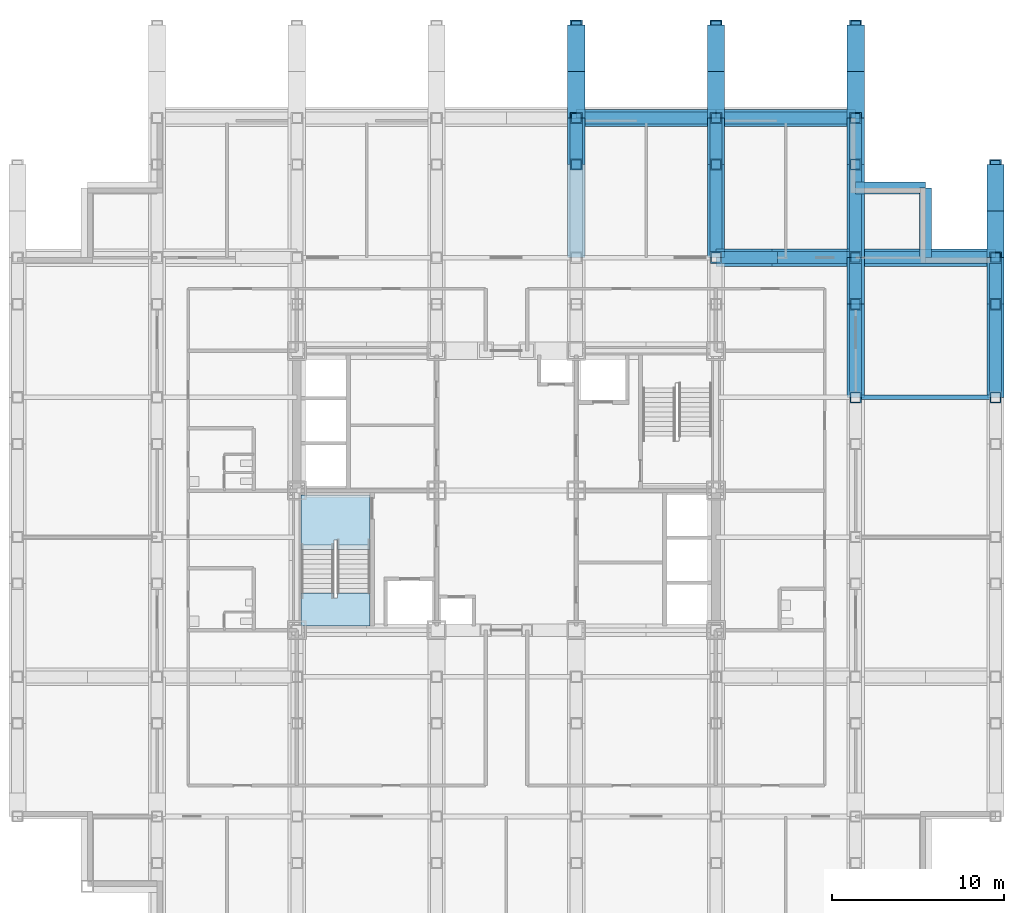
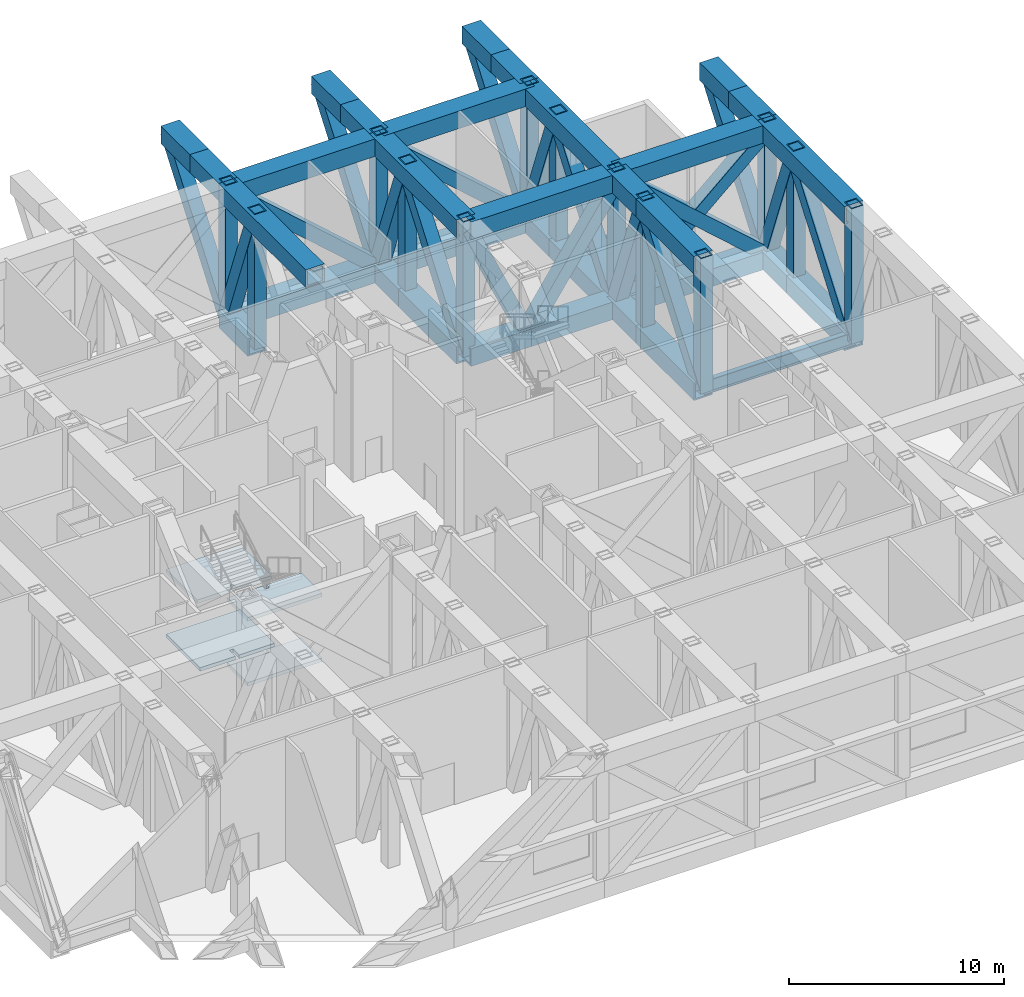
# One storey, part 6 of 13: 64 members, 4 slabs, 3 beams, 1 element without a shape of its own.
"""IFC4 building model written with IfcOpenShell, lengths in metres."""

from ifc_helpers import new_model, si_unit, direction, frame, origin, origin_2d, place, context, subcontext, project, spatial, polyline, hollow_rectangle, i_section, outline, extrude, material, layer, layer_set, material_profile, profile_set, type_object, element, aggregate, save


model = new_model("IFC4")

# Units and contexts
model_context = context("Model", 3, precision=1e-05, world=origin(), true_north=direction((0.0, 1.0)))
body_context = subcontext(model_context, "Body", "Model", "MODEL_VIEW")
ifc_project = project(units=[si_unit("LENGTHUNIT", "METRE"), si_unit("AREAUNIT", "SQUARE_METRE"), si_unit("VOLUMEUNIT", "CUBIC_METRE"), si_unit("PLANEANGLEUNIT", "RADIAN"), si_unit("MASSUNIT", "GRAM", prefix="KILO")], contexts=[model_context])

# Site, building, storey
site_placement = place(None, origin())
site = spatial("IfcSite", under=ifc_project, at=site_placement, CompositionType="ELEMENT")
building_placement = place(site_placement, origin())
building = spatial("IfcBuilding", under=site, at=building_placement, Name="Kopane Lantern Tower", CompositionType="ELEMENT")
storey_placement = place(building_placement, frame((0.0, 0.0, 157.800048828125)))
storey = spatial("IfcBuildingStorey", under=building, at=storey_placement, Name="L41", CompositionType="ELEMENT", Elevation=157.800048828125)

# Beams
ifc_material_1 = material(Name="Steel S355JR", Category="steel")
ifc_material_profile_1 = material_profile(ifc_material_1, hollow_rectangle(XDim=0.699951171875, YDim=0.699951171875, WallThickness=0.06005859375, at=origin_2d()), Name="BOX 700x700x60")
ifc_profile_set_1 = profile_set([ifc_material_profile_1], Name="Steel S355JR")
beam_type_1 = type_object("IfcBeamType", Name="EDGE BEAM BOX 700x700x60", PredefinedType="BEAM", material=ifc_profile_set_1)
beam_1_placement = place(storey_placement, frame((52.64990234375, 49.949951171875, -0.60009765625), z_axis=(-1.0, 0.0, 0.0), x_axis=(0.0, -1.0, 0.0)))
element("IfcBeam", 1, at=beam_1_placement, inside=storey, type_object=beam_type_1, Name="Edge Beam L41", PredefinedType="BEAM", context=body_context, shape_type="SweptSolid", body=[
    extrude(hollow_rectangle(XDim=0.699951171875, YDim=0.699951171875, WallThickness=0.06005859375, at=origin_2d()), origin(), (0.0, 0.0, 1.0), 4.0498046875),
])
beam_2_placement = place(storey_placement, frame((52.64990234375, 49.949951171875, -0.60009765625), z_axis=(0.0, -1.0, 0.0), x_axis=(1.0, 0.0, 0.0)))
element("IfcBeam", 2, at=beam_2_placement, inside=storey, type_object=beam_type_1, Name="Edge Beam L41", PredefinedType="BEAM", context=body_context, shape_type="SweptSolid", body=[
    extrude(hollow_rectangle(XDim=0.699951171875, YDim=0.699951171875, WallThickness=0.06005859375, at=origin_2d()), origin(), (0.0, 0.0, 1.0), 4.050048828125),
])
ifc_material_2 = material(Name="Steel S355JR", Category="steel")
ifc_material_profile_2 = material_profile(ifc_material_2, i_section(OverallWidth=0.26806640625, OverallDepth=0.769775390625, WebThickness=0.015625, FlangeThickness=0.025390625, FilletRadius=0.0166015625, at=origin_2d()), Name="UB 762x267x197")
ifc_profile_set_2 = profile_set([ifc_material_profile_2], Name="Steel S355JR")
beam_type_2 = type_object("IfcBeamType", Name="GIRDER UB 762x267x197", PredefinedType="BEAM", material=ifc_profile_set_2)
beam_3_placement = place(storey_placement, frame((48.60009765625, 37.800048828125, -0.635009765625), z_axis=(1.0, 0.0, 0.0), x_axis=(0.0, 1.0, 0.0)))
element("IfcBeam", 3, at=beam_3_placement, inside=storey, type_object=beam_type_2, Name="Girder L41", PredefinedType="BEAM", context=body_context, shape_type="SweptSolid", body=[
    extrude(i_section(OverallWidth=0.26806640625, OverallDepth=0.769775390625, WebThickness=0.015625, FlangeThickness=0.025390625, FilletRadius=0.0166015625, at=origin_2d()), origin(), (0.0, 0.0, 1.0), 8.099853515625),
])

# Members
ifc_material_3 = material(Name="Steel S355JR", Category="steel")
ifc_material_profile_3 = material_profile(ifc_material_3, hollow_rectangle(XDim=1.0, YDim=1.0, WallThickness=0.090087890625, at=origin_2d()), Name="BOX 1000x1000x90")
ifc_profile_set_3 = profile_set([ifc_material_profile_3], Name="Steel S355JR")
member_type_1 = type_object("IfcMemberType", Name="TRUSS CHORD BOX 1000x1000x90", PredefinedType="CHORD", material=ifc_profile_set_3)
member_1_placement = place(storey_placement, frame((32.39990234375, 51.300048828125, -0.75), z_axis=(0.0, 1.0, 0.0), x_axis=(-1.0, 0.0, 0.0)))
element("IfcMember", 4, at=member_1_placement, inside=storey, type_object=member_type_1, Name="Transfer truss 6 L41 truss chord", PredefinedType="CHORD", context=body_context, shape_type="SweptSolid", body=[
    extrude(hollow_rectangle(XDim=1.0, YDim=1.0, WallThickness=0.090087890625, at=origin_2d()), origin(), (0.0, 0.0, 1.0), 2.699951171875),
])
member_2_placement = place(storey_placement, frame((32.39990234375, 45.89990234375, 6.449951171875), z_axis=(0.0, 1.0, 0.0), x_axis=(-1.0, 0.0, 0.0)))
element("IfcMember", 5, at=member_2_placement, inside=storey, type_object=member_type_1, Name="Transfer truss 6 L41 truss chord", PredefinedType="CHORD", context=body_context, shape_type="SweptSolid", body=[
    extrude(hollow_rectangle(XDim=1.0, YDim=1.0, WallThickness=0.090087890625, at=origin_2d()), origin(), (0.0, 0.0, 1.0), 8.10009765625),
])
for number, where, z_axis, x_axis, name in (
    (6, (32.39990234375, 54.0, 6.449951171875), (0.0, 1.0, 0.0), (-1.0, 0.0, 0.0), "Transfer truss 6 L41 truss chord"),
    (7, (32.39990234375, 56.699951171875, 6.449951171875), (0.0, 1.0, 0.0), (-1.0, 0.0, 0.0), "Transfer truss 6 L41 truss chord"),
):
    element("IfcMember", number, at=place(storey_placement, frame(where, z_axis=z_axis, x_axis=x_axis)), inside=storey, type_object=member_type_1, Name=name, PredefinedType="CHORD", context=body_context, shape_type="SweptSolid", body=[
        extrude(hollow_rectangle(XDim=1.0, YDim=1.0, WallThickness=0.090087890625, at=origin_2d()), origin(), (0.0, 0.0, 1.0), 2.699951171875),
    ])
member_3_placement = place(storey_placement, frame((40.5, 45.89990234375, -0.75), z_axis=(0.0, 1.0, 0.0), x_axis=(-1.0, 0.0, 0.0)))
element("IfcMember", 8, at=member_3_placement, inside=storey, type_object=member_type_1, Name="Transfer truss 7 L41 truss chord", PredefinedType="CHORD", context=body_context, shape_type="SweptSolid", body=[
    extrude(hollow_rectangle(XDim=1.0, YDim=1.0, WallThickness=0.090087890625, at=origin_2d()), origin(), (0.0, 0.0, 1.0), 5.400146484375),
])
member_4_placement = place(storey_placement, frame((40.5, 51.300048828125, -0.75), z_axis=(0.0, 1.0, 0.0), x_axis=(-1.0, 0.0, 0.0)))
element("IfcMember", 9, at=member_4_placement, inside=storey, type_object=member_type_1, Name="Transfer truss 7 L41 truss chord", PredefinedType="CHORD", context=body_context, shape_type="SweptSolid", body=[
    extrude(hollow_rectangle(XDim=1.0, YDim=1.0, WallThickness=0.090087890625, at=origin_2d()), origin(), (0.0, 0.0, 1.0), 2.699951171875),
])
member_5_placement = place(storey_placement, frame((40.5, 45.89990234375, 6.449951171875), z_axis=(0.0, 1.0, 0.0), x_axis=(-1.0, 0.0, 0.0)))
element("IfcMember", 10, at=member_5_placement, inside=storey, type_object=member_type_1, Name="Transfer truss 7 L41 truss chord", PredefinedType="CHORD", context=body_context, shape_type="SweptSolid", body=[
    extrude(hollow_rectangle(XDim=1.0, YDim=1.0, WallThickness=0.090087890625, at=origin_2d()), origin(), (0.0, 0.0, 1.0), 8.10009765625),
])
for number, where, z_axis, x_axis, name in (
    (11, (40.5, 54.0, 6.449951171875), (0.0, 1.0, 0.0), (-1.0, 0.0, 0.0), "Transfer truss 7 L41 truss chord"),
    (12, (40.5, 56.699951171875, 6.449951171875), (0.0, 1.0, 0.0), (-1.0, 0.0, 0.0), "Transfer truss 7 L41 truss chord"),
):
    element("IfcMember", number, at=place(storey_placement, frame(where, z_axis=z_axis, x_axis=x_axis)), inside=storey, type_object=member_type_1, Name=name, PredefinedType="CHORD", context=body_context, shape_type="SweptSolid", body=[
        extrude(hollow_rectangle(XDim=1.0, YDim=1.0, WallThickness=0.090087890625, at=origin_2d()), origin(), (0.0, 0.0, 1.0), 2.699951171875),
    ])
member_6_placement = place(storey_placement, frame((48.60009765625, 37.800048828125, -0.75), z_axis=(0.0, 1.0, 0.0), x_axis=(-1.0, 0.0, 0.0)))
element("IfcMember", 13, at=member_6_placement, inside=storey, type_object=member_type_1, Name="Transfer truss 8 L41 truss chord", PredefinedType="CHORD", context=body_context, shape_type="SweptSolid", body=[
    extrude(hollow_rectangle(XDim=1.0, YDim=1.0, WallThickness=0.090087890625, at=origin_2d()), origin(), (0.0, 0.0, 1.0), 5.39990234375),
])
member_7_placement = place(storey_placement, frame((48.60009765625, 43.199951171875, -0.75), z_axis=(0.0, 1.0, 0.0), x_axis=(-1.0, 0.0, 0.0)))
element("IfcMember", 14, at=member_7_placement, inside=storey, type_object=member_type_1, Name="Transfer truss 8 L41 truss chord", PredefinedType="CHORD", context=body_context, shape_type="SweptSolid", body=[
    extrude(hollow_rectangle(XDim=1.0, YDim=1.0, WallThickness=0.090087890625, at=origin_2d()), origin(), (0.0, 0.0, 1.0), 2.699951171875),
])
member_8_placement = place(storey_placement, frame((48.60009765625, 45.89990234375, -0.75), z_axis=(0.0, 1.0, 0.0), x_axis=(-1.0, 0.0, 0.0)))
element("IfcMember", 15, at=member_8_placement, inside=storey, type_object=member_type_1, Name="Transfer truss 8 L41 truss chord", PredefinedType="CHORD", context=body_context, shape_type="SweptSolid", body=[
    extrude(hollow_rectangle(XDim=1.0, YDim=1.0, WallThickness=0.090087890625, at=origin_2d()), origin(), (0.0, 0.0, 1.0), 5.400146484375),
])
member_9_placement = place(storey_placement, frame((48.60009765625, 51.300048828125, -0.75), z_axis=(0.0, 1.0, 0.0), x_axis=(-1.0, 0.0, 0.0)))
element("IfcMember", 16, at=member_9_placement, inside=storey, type_object=member_type_1, Name="Transfer truss 8 L41 truss chord", PredefinedType="CHORD", context=body_context, shape_type="SweptSolid", body=[
    extrude(hollow_rectangle(XDim=1.0, YDim=1.0, WallThickness=0.090087890625, at=origin_2d()), origin(), (0.0, 0.0, 1.0), 2.699951171875),
])
member_10_placement = place(storey_placement, frame((48.60009765625, 37.800048828125, 6.449951171875), z_axis=(0.0, 1.0, 0.0), x_axis=(-1.0, 0.0, 0.0)))
element("IfcMember", 17, at=member_10_placement, inside=storey, type_object=member_type_1, Name="Transfer truss 8 L41 truss chord", PredefinedType="CHORD", context=body_context, shape_type="SweptSolid", body=[
    extrude(hollow_rectangle(XDim=1.0, YDim=1.0, WallThickness=0.090087890625, at=origin_2d()), origin(), (0.0, 0.0, 1.0), 5.39990234375),
])
member_11_placement = place(storey_placement, frame((48.60009765625, 43.199951171875, 6.449951171875), z_axis=(0.0, 1.0, 0.0), x_axis=(-1.0, 0.0, 0.0)))
element("IfcMember", 18, at=member_11_placement, inside=storey, type_object=member_type_1, Name="Transfer truss 8 L41 truss chord", PredefinedType="CHORD", context=body_context, shape_type="SweptSolid", body=[
    extrude(hollow_rectangle(XDim=1.0, YDim=1.0, WallThickness=0.090087890625, at=origin_2d()), origin(), (0.0, 0.0, 1.0), 2.699951171875),
])
member_12_placement = place(storey_placement, frame((48.60009765625, 45.89990234375, 6.449951171875), z_axis=(0.0, 1.0, 0.0), x_axis=(-1.0, 0.0, 0.0)))
element("IfcMember", 19, at=member_12_placement, inside=storey, type_object=member_type_1, Name="Transfer truss 8 L41 truss chord", PredefinedType="CHORD", context=body_context, shape_type="SweptSolid", body=[
    extrude(hollow_rectangle(XDim=1.0, YDim=1.0, WallThickness=0.090087890625, at=origin_2d()), origin(), (0.0, 0.0, 1.0), 8.10009765625),
])
for number, where, z_axis, x_axis, name in (
    (20, (48.60009765625, 54.0, 6.449951171875), (0.0, 1.0, 0.0), (-1.0, 0.0, 0.0), "Transfer truss 8 L41 truss chord"),
    (21, (48.60009765625, 56.699951171875, 6.449951171875), (0.0, 1.0, 0.0), (-1.0, 0.0, 0.0), "Transfer truss 8 L41 truss chord"),
):
    element("IfcMember", number, at=place(storey_placement, frame(where, z_axis=z_axis, x_axis=x_axis)), inside=storey, type_object=member_type_1, Name=name, PredefinedType="CHORD", context=body_context, shape_type="SweptSolid", body=[
        extrude(hollow_rectangle(XDim=1.0, YDim=1.0, WallThickness=0.090087890625, at=origin_2d()), origin(), (0.0, 0.0, 1.0), 2.699951171875),
    ])
member_13_placement = place(storey_placement, frame((56.699951171875, 37.800048828125, -0.75), z_axis=(0.0, 1.0, 0.0), x_axis=(-1.0, 0.0, 0.0)))
element("IfcMember", 22, at=member_13_placement, inside=storey, type_object=member_type_1, Name="Transfer truss 9 L41 truss chord", PredefinedType="CHORD", context=body_context, shape_type="SweptSolid", body=[
    extrude(hollow_rectangle(XDim=1.0, YDim=1.0, WallThickness=0.090087890625, at=origin_2d()), origin(), (0.0, 0.0, 1.0), 5.39990234375),
])
member_14_placement = place(storey_placement, frame((56.699951171875, 43.199951171875, -0.75), z_axis=(0.0, 1.0, 0.0), x_axis=(-1.0, 0.0, 0.0)))
element("IfcMember", 23, at=member_14_placement, inside=storey, type_object=member_type_1, Name="Transfer truss 9 L41 truss chord", PredefinedType="CHORD", context=body_context, shape_type="SweptSolid", body=[
    extrude(hollow_rectangle(XDim=1.0, YDim=1.0, WallThickness=0.090087890625, at=origin_2d()), origin(), (0.0, 0.0, 1.0), 2.699951171875),
])
member_15_placement = place(storey_placement, frame((56.699951171875, 37.800048828125, 6.449951171875), z_axis=(0.0, 1.0, 0.0), x_axis=(-1.0, 0.0, 0.0)))
element("IfcMember", 24, at=member_15_placement, inside=storey, type_object=member_type_1, Name="Transfer truss 9 L41 truss chord", PredefinedType="CHORD", context=body_context, shape_type="SweptSolid", body=[
    extrude(hollow_rectangle(XDim=1.0, YDim=1.0, WallThickness=0.090087890625, at=origin_2d()), origin(), (0.0, 0.0, 1.0), 8.099853515625),
])
member_16_placement = place(storey_placement, frame((56.699951171875, 45.89990234375, 6.449951171875), z_axis=(0.0, 1.0, 0.0), x_axis=(-1.0, 0.0, 0.0)))
element("IfcMember", 25, at=member_16_placement, inside=storey, type_object=member_type_1, Name="Transfer truss 9 L41 truss chord", PredefinedType="CHORD", context=body_context, shape_type="SweptSolid", body=[
    extrude(hollow_rectangle(XDim=1.0, YDim=1.0, WallThickness=0.090087890625, at=origin_2d()), origin(), (0.0, 0.0, 1.0), 2.7001953125),
])
member_17_placement = place(storey_placement, frame((56.699951171875, 48.60009765625, 6.449951171875), z_axis=(0.0, 1.0, 0.0), x_axis=(-1.0, 0.0, 0.0)))
element("IfcMember", 26, at=member_17_placement, inside=storey, type_object=member_type_1, Name="Transfer truss 9 L41 truss chord", PredefinedType="CHORD", context=body_context, shape_type="SweptSolid", body=[
    extrude(hollow_rectangle(XDim=1.0, YDim=1.0, WallThickness=0.090087890625, at=origin_2d()), origin(), (0.0, 0.0, 1.0), 2.699951171875),
])
for number, where, z_axis, x_axis, name in (
    (27, (32.39990234375, 54.0, -0.75), (1.0, 0.0, 0.0), (0.0, 1.0, 0.0), "Belt truss N L41 truss chord"),
    (28, (32.39990234375, 54.0, 6.449951171875), (1.0, 0.0, 0.0), (0.0, 1.0, 0.0), "Belt truss N L41 truss chord"),
    (29, (40.5, 54.0, -0.75), (1.0, 0.0, 0.0), (0.0, 1.0, 0.0), "Belt truss N L41 truss chord"),
    (30, (40.5, 54.0, 6.449951171875), (1.0, 0.0, 0.0), (0.0, 1.0, 0.0), "Belt truss N L41 truss chord"),
):
    element("IfcMember", number, at=place(storey_placement, frame(where, z_axis=z_axis, x_axis=x_axis)), inside=storey, type_object=member_type_1, Name=name, PredefinedType="CHORD", context=body_context, shape_type="SweptSolid", body=[
        extrude(hollow_rectangle(XDim=1.0, YDim=1.0, WallThickness=0.090087890625, at=origin_2d()), origin(), (0.0, 0.0, 1.0), 8.10009765625),
    ])
for number, where, z_axis, x_axis, name in (
    (31, (56.699951171875, 45.89990234375, -0.75), (-1.0, 0.0, 0.0), (0.0, -1.0, 0.0), "Outrigger truss E45.9 L41 truss chord"),
    (32, (56.699951171875, 45.89990234375, 6.449951171875), (-1.0, 0.0, 0.0), (0.0, -1.0, 0.0), "Outrigger truss E45.9 L41 truss chord"),
):
    element("IfcMember", number, at=place(storey_placement, frame(where, z_axis=z_axis, x_axis=x_axis)), inside=storey, type_object=member_type_1, Name=name, PredefinedType="CHORD", context=body_context, shape_type="SweptSolid", body=[
        extrude(hollow_rectangle(XDim=1.0, YDim=1.0, WallThickness=0.090087890625, at=origin_2d()), origin(), (0.0, 0.0, 1.0), 8.099853515625),
    ])
member_18_placement = place(storey_placement, frame((48.60009765625, 45.89990234375, -0.75), z_axis=(-1.0, 0.0, 0.0), x_axis=(0.0, -1.0, 0.0)))
element("IfcMember", 33, at=member_18_placement, inside=storey, type_object=member_type_1, Name="Outrigger truss E45.9 L41 truss chord", PredefinedType="CHORD", context=body_context, shape_type="SweptSolid", body=[
    extrude(hollow_rectangle(XDim=1.0, YDim=1.0, WallThickness=0.090087890625, at=origin_2d()), origin(), (0.0, 0.0, 1.0), 4.860107421875),
])
member_19_placement = place(storey_placement, frame((43.739990234375, 45.89990234375, -0.75), z_axis=(-1.0, 0.0, 0.0), x_axis=(0.0, -1.0, 0.0)))
element("IfcMember", 34, at=member_19_placement, inside=storey, type_object=member_type_1, Name="Outrigger truss E45.9 L41 truss chord", PredefinedType="CHORD", context=body_context, shape_type="SweptSolid", body=[
    extrude(hollow_rectangle(XDim=1.0, YDim=1.0, WallThickness=0.090087890625, at=origin_2d()), origin(), (0.0, 0.0, 1.0), 3.239990234375),
])
member_20_placement = place(storey_placement, frame((48.60009765625, 45.89990234375, 6.449951171875), z_axis=(-1.0, 0.0, 0.0), x_axis=(0.0, -1.0, 0.0)))
element("IfcMember", 35, at=member_20_placement, inside=storey, type_object=member_type_1, Name="Outrigger truss E45.9 L41 truss chord", PredefinedType="CHORD", context=body_context, shape_type="SweptSolid", body=[
    extrude(hollow_rectangle(XDim=1.0, YDim=1.0, WallThickness=0.090087890625, at=origin_2d()), origin(), (0.0, 0.0, 1.0), 8.10009765625),
])
ifc_material_4 = material(Name="Steel S355JR", Category="steel")
ifc_material_profile_4 = material_profile(ifc_material_4, hollow_rectangle(XDim=0.699951171875, YDim=0.699951171875, WallThickness=0.070068359375, at=origin_2d()), Name="BOX 700x700x70")
ifc_profile_set_4 = profile_set([ifc_material_profile_4], Name="Steel S355JR")
member_type_2 = type_object("IfcMemberType", Name="TRUSS DIAGONAL BOX 700x700x70", PredefinedType="BRACE", material=ifc_profile_set_4)
member_21_placement = place(storey_placement, frame((32.39990234375, 54.0, -0.75), z_axis=(0.0, -0.351119962166, 0.936330482345), x_axis=(1.0, 0.0, 0.0)))
element("IfcMember", 36, at=member_21_placement, inside=storey, type_object=member_type_2, Name="Transfer truss 6 L41 truss diagonal", PredefinedType="BRACE", context=body_context, shape_type="SweptSolid", body=[
    extrude(hollow_rectangle(XDim=0.699951171875, YDim=0.699951171875, WallThickness=0.070068359375, at=origin_2d()), origin(), (0.0, 0.0, 1.0), 7.689453125),
])
for number, where, z_axis, x_axis, name in (
    (37, (32.39990234375, 54.0, -0.75), (0.0, 0.599995659666, 0.800003255232), (-1.0, 0.0, 0.0), "Transfer truss 6 L41 truss diagonal"),
    (38, (40.5, 45.89990234375, -0.75), (0.0, 0.600013020683, 0.799990234322), (-1.0, 0.0, 0.0), "Transfer truss 7 L41 truss diagonal"),
):
    element("IfcMember", number, at=place(storey_placement, frame(where, z_axis=z_axis, x_axis=x_axis)), inside=storey, type_object=member_type_2, Name=name, PredefinedType="BRACE", context=body_context, shape_type="SweptSolid", body=[
        extrude(hollow_rectangle(XDim=0.699951171875, YDim=0.699951171875, WallThickness=0.070068359375, at=origin_2d()), origin(), (0.0, 0.0, 1.0), 9.0),
    ])
member_22_placement = place(storey_placement, frame((40.5, 54.0, -0.75), z_axis=(0.0, -0.351119962166, 0.936330482345), x_axis=(1.0, 0.0, 0.0)))
element("IfcMember", 39, at=member_22_placement, inside=storey, type_object=member_type_2, Name="Transfer truss 7 L41 truss diagonal", PredefinedType="BRACE", context=body_context, shape_type="SweptSolid", body=[
    extrude(hollow_rectangle(XDim=0.699951171875, YDim=0.699951171875, WallThickness=0.070068359375, at=origin_2d()), origin(), (0.0, 0.0, 1.0), 7.689453125),
])
for number, where, z_axis, x_axis, name in (
    (40, (40.5, 54.0, -0.75), (0.0, 0.599995659666, 0.800003255232), (-1.0, 0.0, 0.0), "Transfer truss 7 L41 truss diagonal"),
    (41, (48.60009765625, 37.800048828125, -0.75), (0.0, 0.599995659666, 0.800003255232), (-1.0, 0.0, 0.0), "Transfer truss 8 L41 truss diagonal"),
):
    element("IfcMember", number, at=place(storey_placement, frame(where, z_axis=z_axis, x_axis=x_axis)), inside=storey, type_object=member_type_2, Name=name, PredefinedType="BRACE", context=body_context, shape_type="SweptSolid", body=[
        extrude(hollow_rectangle(XDim=0.699951171875, YDim=0.699951171875, WallThickness=0.070068359375, at=origin_2d()), origin(), (0.0, 0.0, 1.0), 9.0),
    ])
member_23_placement = place(storey_placement, frame((48.60009765625, 45.89990234375, -0.75), z_axis=(0.0, -0.351119962166, 0.936330482345), x_axis=(1.0, 0.0, 0.0)))
element("IfcMember", 42, at=member_23_placement, inside=storey, type_object=member_type_2, Name="Transfer truss 8 L41 truss diagonal", PredefinedType="BRACE", context=body_context, shape_type="SweptSolid", body=[
    extrude(hollow_rectangle(XDim=0.699951171875, YDim=0.699951171875, WallThickness=0.070068359375, at=origin_2d()), origin(), (0.0, 0.0, 1.0), 7.689453125),
])
member_24_placement = place(storey_placement, frame((48.60009765625, 45.89990234375, -0.75), z_axis=(0.0, 0.600013020683, 0.799990234322), x_axis=(-1.0, 0.0, 0.0)))
element("IfcMember", 43, at=member_24_placement, inside=storey, type_object=member_type_2, Name="Transfer truss 8 L41 truss diagonal", PredefinedType="BRACE", context=body_context, shape_type="SweptSolid", body=[
    extrude(hollow_rectangle(XDim=0.699951171875, YDim=0.699951171875, WallThickness=0.070068359375, at=origin_2d()), origin(), (0.0, 0.0, 1.0), 9.0),
])
member_25_placement = place(storey_placement, frame((48.60009765625, 54.0, -0.75), z_axis=(0.0, -0.351119962166, 0.936330482345), x_axis=(1.0, 0.0, 0.0)))
element("IfcMember", 44, at=member_25_placement, inside=storey, type_object=member_type_2, Name="Transfer truss 8 L41 truss diagonal", PredefinedType="BRACE", context=body_context, shape_type="SweptSolid", body=[
    extrude(hollow_rectangle(XDim=0.699951171875, YDim=0.699951171875, WallThickness=0.070068359375, at=origin_2d()), origin(), (0.0, 0.0, 1.0), 7.689453125),
])
for number, where, z_axis, x_axis, name in (
    (45, (48.60009765625, 54.0, -0.75), (0.0, 0.599995659666, 0.800003255232), (-1.0, 0.0, 0.0), "Transfer truss 8 L41 truss diagonal"),
    (46, (56.699951171875, 37.800048828125, -0.75), (0.0, 0.599995659666, 0.800003255232), (-1.0, 0.0, 0.0), "Transfer truss 9 L41 truss diagonal"),
):
    element("IfcMember", number, at=place(storey_placement, frame(where, z_axis=z_axis, x_axis=x_axis)), inside=storey, type_object=member_type_2, Name=name, PredefinedType="BRACE", context=body_context, shape_type="SweptSolid", body=[
        extrude(hollow_rectangle(XDim=0.699951171875, YDim=0.699951171875, WallThickness=0.070068359375, at=origin_2d()), origin(), (0.0, 0.0, 1.0), 9.0),
    ])
member_26_placement = place(storey_placement, frame((56.699951171875, 45.89990234375, -0.75), z_axis=(0.0, -0.351119962166, 0.936330482345), x_axis=(1.0, 0.0, 0.0)))
element("IfcMember", 47, at=member_26_placement, inside=storey, type_object=member_type_2, Name="Transfer truss 9 L41 truss diagonal", PredefinedType="BRACE", context=body_context, shape_type="SweptSolid", body=[
    extrude(hollow_rectangle(XDim=0.699951171875, YDim=0.699951171875, WallThickness=0.070068359375, at=origin_2d()), origin(), (0.0, 0.0, 1.0), 7.689453125),
])
member_27_placement = place(storey_placement, frame((56.699951171875, 45.89990234375, -0.75), z_axis=(0.0, 0.600013020683, 0.799990234322), x_axis=(-1.0, 0.0, 0.0)))
element("IfcMember", 48, at=member_27_placement, inside=storey, type_object=member_type_2, Name="Transfer truss 9 L41 truss diagonal", PredefinedType="BRACE", context=body_context, shape_type="SweptSolid", body=[
    extrude(hollow_rectangle(XDim=0.699951171875, YDim=0.699951171875, WallThickness=0.070068359375, at=origin_2d()), origin(), (0.0, 0.0, 1.0), 9.0),
])
for number, where, z_axis, x_axis, name in (
    (49, (40.5, 54.0, -0.75), (-0.747415533118, 0.0, 0.664356847525), (0.0, -1.0, 0.0), "Belt truss N L41 truss diagonal"),
    (50, (48.60009765625, 54.0, -0.75), (-0.747415533118, 0.0, 0.664356847525), (0.0, -1.0, 0.0), "Belt truss N L41 truss diagonal"),
    (51, (56.699951171875, 45.89990234375, -0.75), (-0.747405589929, 0.0, 0.664368033655), (0.0, -1.0, 0.0), "Outrigger truss E45.9 L41 truss diagonal"),
    (52, (48.60009765625, 45.89990234375, -0.75), (0.747405589929, 0.0, 0.664368033655), (0.0, 1.0, 0.0), "Outrigger truss E45.9 L41 truss diagonal"),
):
    element("IfcMember", number, at=place(storey_placement, frame(where, z_axis=z_axis, x_axis=x_axis)), inside=storey, type_object=member_type_2, Name=name, PredefinedType="BRACE", context=body_context, shape_type="SweptSolid", body=[
        extrude(hollow_rectangle(XDim=0.699951171875, YDim=0.699951171875, WallThickness=0.070068359375, at=origin_2d()), origin(), (0.0, 0.0, 1.0), 10.83740234375),
    ])
member_28_placement = place(storey_placement, frame((48.60009765625, 45.89990234375, 6.449951171875), z_axis=(-0.559483956924, 0.0, -0.82884118017), x_axis=(0.0, -1.0, 0.0)))
element("IfcMember", 53, at=member_28_placement, inside=storey, type_object=member_type_2, Name="Outrigger truss E45.9 L41 truss diagonal", PredefinedType="BRACE", context=body_context, shape_type="SweptSolid", body=[
    extrude(hollow_rectangle(XDim=0.699951171875, YDim=0.699951171875, WallThickness=0.070068359375, at=origin_2d()), origin(), (0.0, 0.0, 1.0), 8.686767578125),
])
member_29_placement = place(storey_placement, frame((40.5, 45.89990234375, 6.449951171875), z_axis=(0.410365963067, 0.0, -0.911920926592), x_axis=(0.0, 1.0, 0.0)))
element("IfcMember", 54, at=member_29_placement, inside=storey, type_object=member_type_2, Name="Outrigger truss E45.9 L41 truss diagonal", PredefinedType="BRACE", context=body_context, shape_type="SweptSolid", body=[
    extrude(hollow_rectangle(XDim=0.699951171875, YDim=0.699951171875, WallThickness=0.070068359375, at=origin_2d()), origin(), (0.0, 0.0, 1.0), 7.895263671875),
])
ifc_material_5 = material(Name="Steel S355JR", Category="steel")
ifc_material_profile_5 = material_profile(ifc_material_5, hollow_rectangle(XDim=0.64990234375, YDim=0.64990234375, WallThickness=0.06005859375, at=origin_2d()), Name="BOX 650x650x60")
ifc_profile_set_5 = profile_set([ifc_material_profile_5], Name="Steel S355JR")
member_type_3 = type_object("IfcMemberType", Name="TRUSS POST BOX 650x650x60", PredefinedType="POST", material=ifc_profile_set_5)
for number, where, z_axis, x_axis, name in (
    (55, (32.39990234375, 51.300048828125, -0.75), (0.0, 0.0, 1.0), (1.0, 0.0, 0.0), "Transfer truss 6 L41 truss post"),
    (56, (32.39990234375, 54.0, -0.75), (0.0, 0.0, 1.0), (1.0, 0.0, 0.0), "Transfer truss 6 L41 truss post"),
    (57, (40.5, 45.89990234375, -0.75), (0.0, 0.0, 1.0), (1.0, 0.0, 0.0), "Transfer truss 7 L41 truss post"),
    (58, (40.5, 51.300048828125, -0.75), (0.0, 0.0, 1.0), (1.0, 0.0, 0.0), "Transfer truss 7 L41 truss post"),
    (59, (40.5, 54.0, -0.75), (0.0, 0.0, 1.0), (1.0, 0.0, 0.0), "Transfer truss 7 L41 truss post"),
    (60, (48.60009765625, 37.800048828125, -0.75), (0.0, 0.0, 1.0), (1.0, 0.0, 0.0), "Transfer truss 8 L41 truss post"),
    (61, (48.60009765625, 43.199951171875, -0.75), (0.0, 0.0, 1.0), (1.0, 0.0, 0.0), "Transfer truss 8 L41 truss post"),
    (62, (48.60009765625, 45.89990234375, -0.75), (0.0, 0.0, 1.0), (1.0, 0.0, 0.0), "Transfer truss 8 L41 truss post"),
    (63, (48.60009765625, 51.300048828125, -0.75), (0.0, 0.0, 1.0), (1.0, 0.0, 0.0), "Transfer truss 8 L41 truss post"),
    (64, (48.60009765625, 54.0, -0.75), (0.0, 0.0, 1.0), (1.0, 0.0, 0.0), "Transfer truss 8 L41 truss post"),
    (65, (56.699951171875, 37.800048828125, -0.75), (0.0, 0.0, 1.0), (1.0, 0.0, 0.0), "Transfer truss 9 L41 truss post"),
    (66, (56.699951171875, 43.199951171875, -0.75), (0.0, 0.0, 1.0), (1.0, 0.0, 0.0), "Transfer truss 9 L41 truss post"),
    (67, (56.699951171875, 45.89990234375, -0.75), (0.0, 0.0, 1.0), (1.0, 0.0, 0.0), "Transfer truss 9 L41 truss post"),
):
    element("IfcMember", number, at=place(storey_placement, frame(where, z_axis=z_axis, x_axis=x_axis)), inside=storey, type_object=member_type_3, Name=name, PredefinedType="POST", context=body_context, shape_type="SweptSolid", body=[
        extrude(hollow_rectangle(XDim=0.64990234375, YDim=0.64990234375, WallThickness=0.06005859375, at=origin_2d()), origin(), (0.0, 0.0, 1.0), 7.699951171875),
    ])

# Stair, slabs
ifc_material_6 = material(Name="Steel S355JR", Category="steel")
stair_type = type_object("IfcStairType", Name="EXIT STAIR 1900 HALF TURN", PredefinedType="HALF_TURN_STAIR", material=ifc_material_6)
stair_placement = place(storey_placement, origin())
stair = element("IfcStair", 68, at=stair_placement, inside=storey, type_object=stair_type, Name="Exit stair ST1 L41", PredefinedType="HALF_TURN_STAIR")
ifc_material_7 = material(Name="Concrete C40/50", Category="concrete")
ifc_layer = layer(ifc_material_7, 0.199951171875)
ifc_layer_set = layer_set([ifc_layer], Name="STAIR LANDING 200")
slab_type = type_object("IfcSlabType", Name="STAIR LANDING 200", PredefinedType="LANDING", material=ifc_layer_set)
slab_1_placement = place(storey_placement, frame((0.0, 0.0, -0.199951171875)))
slab_1 = element("IfcSlab", 69, at=slab_1_placement, type_object=slab_type, Name="ST1 landing 1", PredefinedType="LANDING", context=body_context, shape_type="SweptSolid", body=[
    extrude(outline(polyline([(18.35009765625, 29.530029296875), (18.550048828125, 29.530029296875), (18.550048828125, 28.969970703125), (20.449951171875, 28.969970703125), (20.449951171875, 32.14990234375), (16.449951171875, 32.14990234375), (16.449951171875, 28.969970703125), (18.35009765625, 28.969970703125), (18.35009765625, 29.530029296875)])), origin(), (0.0, 0.0, 1.0), 0.199951171875),
])
slab_2_placement = place(storey_placement, frame((0.0, 0.0, 1.641845703125)))
slab_2 = element("IfcSlab", 70, at=slab_2_placement, type_object=slab_type, Name="ST1 landing 2", PredefinedType="LANDING", context=body_context, shape_type="SweptSolid", body=[
    extrude(outline(polyline([(20.449951171875, 26.449951171875), (18.550048828125, 26.449951171875), (18.550048828125, 26.169921875), (18.35009765625, 26.169921875), (18.35009765625, 26.449951171875), (16.449951171875, 26.449951171875), (16.449951171875, 24.550048828125), (20.449951171875, 24.550048828125), (20.449951171875, 26.449951171875)])), origin(), (0.0, 0.0, 1.0), 0.199951171875),
])
slab_3_placement = place(storey_placement, frame((0.0, 0.0, 3.483642578125)))
slab_3 = element("IfcSlab", 71, at=slab_3_placement, type_object=slab_type, Name="ST1 landing 3", PredefinedType="LANDING", context=body_context, shape_type="SweptSolid", body=[
    extrude(outline(polyline([(18.35009765625, 29.530029296875), (18.550048828125, 29.530029296875), (18.550048828125, 29.25), (20.449951171875, 29.25), (20.449951171875, 32.14990234375), (16.449951171875, 32.14990234375), (16.449951171875, 29.25), (18.35009765625, 29.25), (18.35009765625, 29.530029296875)])), origin(), (0.0, 0.0, 1.0), 0.199951171875),
])
slab_4_placement = place(storey_placement, frame((0.0, 0.0, 5.325439453125)))
slab_4 = element("IfcSlab", 72, at=slab_4_placement, type_object=slab_type, Name="ST1 landing 4", PredefinedType="LANDING", context=body_context, shape_type="SweptSolid", body=[
    extrude(outline(polyline([(20.449951171875, 26.449951171875), (18.550048828125, 26.449951171875), (18.550048828125, 26.169921875), (18.35009765625, 26.169921875), (18.35009765625, 26.449951171875), (16.449951171875, 26.449951171875), (16.449951171875, 24.550048828125), (20.449951171875, 24.550048828125), (20.449951171875, 26.449951171875)])), origin(), (0.0, 0.0, 1.0), 0.2001953125),
])
aggregate(stair, [slab_1, slab_2, slab_3, slab_4])

save(model, "model.ifc")
